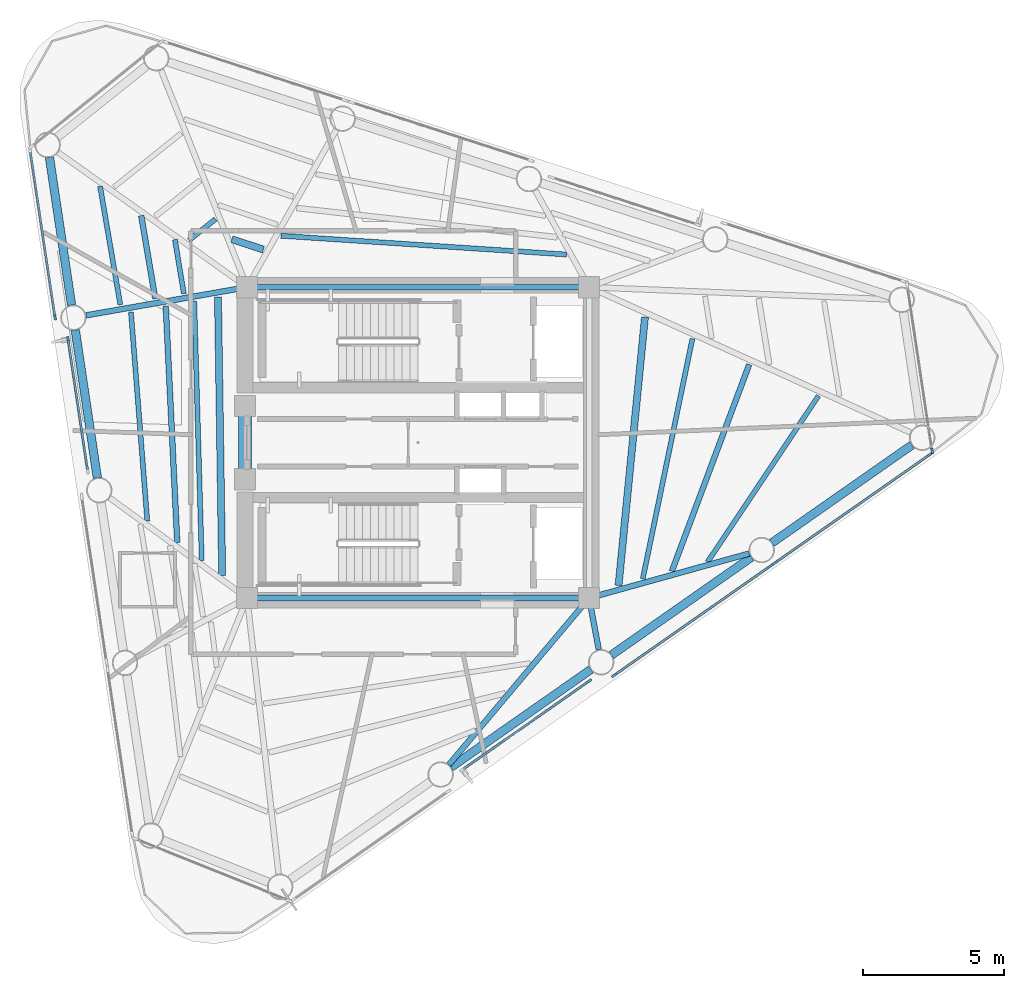
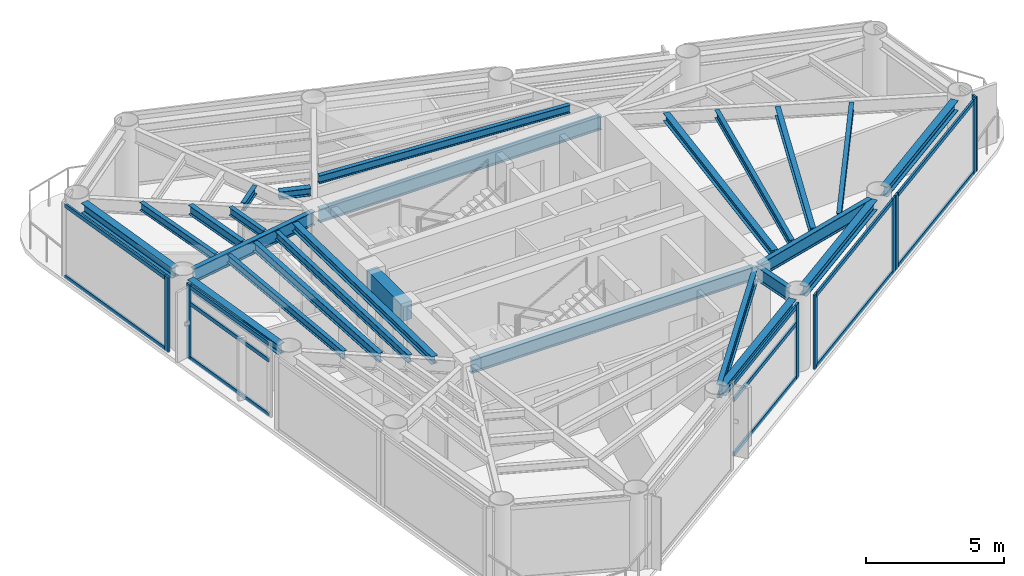
# One storey, part 2 of 9: 26 beams, 20 members, 6 elements without a shape of their own.
"""IFC4 building model written with IfcOpenShell, lengths in metres."""

from ifc_helpers import new_model, si_unit, direction, frame, origin, origin_2d, place, context, subcontext, project, spatial, rectangle, i_section, extrude, source, transform, mapped, material, layer, layer_set, material_profile, profile_set, type_object, element, aggregate, save


model = new_model("IFC4")

# Units and contexts
model_context = context("Model", 3, precision=1e-05, world=origin(), true_north=direction((0.0, 1.0)))
body_context = subcontext(model_context, "Body", "Model", "MODEL_VIEW")
ifc_project = project(units=[si_unit("LENGTHUNIT", "METRE"), si_unit("AREAUNIT", "SQUARE_METRE"), si_unit("VOLUMEUNIT", "CUBIC_METRE"), si_unit("PLANEANGLEUNIT", "RADIAN"), si_unit("MASSUNIT", "GRAM", prefix="KILO")], contexts=[model_context])

# Site, building, storey
site_placement = place(None, origin())
site = spatial("IfcSite", under=ifc_project, at=site_placement, CompositionType="ELEMENT")
building_placement = place(site_placement, origin())
building = spatial("IfcBuilding", under=site, at=building_placement, Name="Yunling Apex Tower", CompositionType="ELEMENT")
storey_placement = place(building_placement, frame((0.0, 0.0, 257.550048828125)))
storey = spatial("IfcBuildingStorey", under=building, at=storey_placement, Name="L62", CompositionType="ELEMENT", Elevation=257.550048828125)

# Beams
ifc_material_1 = material(Name="Concrete C40", Category="concrete")
ifc_material_profile_1 = material_profile(ifc_material_1, rectangle(XDim=0.449951171875, YDim=0.800048828125, at=origin_2d()))
ifc_profile_set_1 = profile_set([ifc_material_profile_1], Name="Concrete C40")
beam_type_1 = type_object("IfcBeamType", Name="BC-CPL-3", PredefinedType="BEAM", material=ifc_profile_set_1)
shared_shape_1 = source(origin(), body_context, "Body", "SweptSolid", [
    extrude(rectangle(XDim=0.449951171875, YDim=0.800048828125, at=origin_2d()), origin(), (0.0, 0.0, 1.0), 2.5),
])
beam_1_placement = place(storey_placement, frame((-6.125, -1.25, 2.820068359375), z_axis=(0.0, 1.0, 0.0), x_axis=(-1.0, 0.0, 0.0)))
element("IfcBeam", 1, at=beam_1_placement, inside=storey, type_object=beam_type_1, Name="L62 Core West Portal Coupling Beam", PredefinedType="BEAM", context=body_context, shape_type="MappedRepresentation", body=[
    mapped(shared_shape_1, transform((0.0, 0.0, 0.0), scale=1.0)),
])
ifc_material_2 = material(Name="Steel Q355B", Category="steel")
ifc_material_profile_2 = material_profile(ifc_material_2, i_section(OverallWidth=0.199951171875, OverallDepth=0.60009765625, WebThickness=0.010986328125, FlangeThickness=0.01708984375, FilletRadius=0.02197265625, at=origin_2d()))
ifc_profile_set_2 = profile_set([ifc_material_profile_2], Name="Steel Q355B")
beam_type_2 = type_object("IfcBeamType", Name="BG-PRI-5", PredefinedType="USERDEFINED", material=ifc_profile_set_2)
shared_shape_2 = source(origin(), body_context, "Body", "SweptSolid", [
    extrude(i_section(OverallWidth=0.199951171875, OverallDepth=0.60009765625, WebThickness=0.010986328125, FlangeThickness=0.01708984375, FilletRadius=0.02197265625, at=origin_2d()), origin(), (0.0, 0.0, 1.0), 11.7998046875),
])
for number, where, z_axis, x_axis, name in (
    (2, (-5.89990234375, -5.5, 2.919921875), (1.0, 0.0, 0.0), (0.0, 1.0, 0.0), "L62 Core Ring Tie Beam 1"),
    (3, (5.89990234375, 5.5, 2.919921875), (-1.0, 0.0, 0.0), (0.0, -1.0, 0.0), "L62 Core Ring Tie Beam 3"),
):
    element("IfcBeam", number, at=place(storey_placement, frame(where, z_axis=z_axis, x_axis=x_axis)), inside=storey, type_object=beam_type_2, Name=name, ObjectType="GIRDER", PredefinedType="USERDEFINED", context=body_context, shape_type="MappedRepresentation", body=[
        mapped(shared_shape_2, transform((0.0, 0.0, 0.0), scale=1.0)),
    ])
ifc_material_profile_3 = material_profile(ifc_material_2, i_section(OverallWidth=0.300048828125, OverallDepth=0.43994140625, WebThickness=0.010986328125, FlangeThickness=0.01806640625, FilletRadius=0.02197265625, at=origin_2d()))
ifc_profile_set_3 = profile_set([ifc_material_profile_3], Name="Steel Q355B")
beam_type_3 = type_object("IfcBeamType", Name="BP-SPN-3", PredefinedType="SPANDREL", material=ifc_profile_set_3)
shared_shape_3 = source(origin(), body_context, "Body", "SweptSolid", [
    extrude(i_section(OverallWidth=0.300048828125, OverallDepth=0.43994140625, WebThickness=0.010986328125, FlangeThickness=0.01806640625, FilletRadius=0.02197265625, at=origin_2d()), origin(), (0.0, 0.0, 1.0), 6.043701171875),
])
for number, where, z_axis, x_axis, name in (
    (4, (1.160888671875, -11.490478515625, 3.0), (0.819546828705, 0.5730122124, 0.0), (-0.5730122124, 0.819546828705, 0.0), "L62 Perimeter Spandrel Beam 2"),
    (5, (6.841796875, -7.5185546875, 3.0), (0.819546828705, 0.5730122124, 0.0), (-0.5730122124, 0.819546828705, 0.0), "L62 Perimeter Spandrel Beam 3"),
    (6, (12.522705078125, -3.546630859375, 3.0), (0.819546828705, 0.5730122124, 0.0), (-0.5730122124, 0.819546828705, 0.0), "L62 Perimeter Spandrel Beam 4"),
):
    element("IfcBeam", number, at=place(storey_placement, frame(where, z_axis=z_axis, x_axis=x_axis)), inside=storey, type_object=beam_type_3, Name=name, PredefinedType="SPANDREL", context=body_context, shape_type="MappedRepresentation", body=[
        mapped(shared_shape_3, transform((0.0, 0.0, 0.0), scale=1.0)),
    ])
shared_shape_4 = source(origin(), body_context, "Body", "SweptSolid", [
    extrude(i_section(OverallWidth=0.300048828125, OverallDepth=0.43994140625, WebThickness=0.010986328125, FlangeThickness=0.01806640625, FilletRadius=0.02197265625, at=origin_2d()), origin(), (0.0, 0.0, 1.0), 5.289306640625),
])
for number, where, z_axis, x_axis, name in (
    (7, (-13.044189453125, 10.09326171875, 3.0), (0.147841619944, -0.989011049186, 0.0), (0.989011049186, 0.147841619944, 0.0), "L62 Perimeter Spandrel Beam 11"),
    (8, (-12.131103515625, 3.98388671875, 3.0), (0.147796471114, -0.989017797174, 0.0), (0.989017797174, 0.147796471114, 0.0), "L62 Perimeter Spandrel Beam 12"),
):
    element("IfcBeam", number, at=place(storey_placement, frame(where, z_axis=z_axis, x_axis=x_axis)), inside=storey, type_object=beam_type_3, Name=name, PredefinedType="SPANDREL", context=body_context, shape_type="MappedRepresentation", body=[
        mapped(shared_shape_4, transform((0.0, 0.0, 0.0), scale=1.0)),
    ])
shared_shape_5 = source(origin(), body_context, "Body", "SweptSolid", [
    extrude(i_section(OverallWidth=0.199951171875, OverallDepth=0.60009765625, WebThickness=0.010986328125, FlangeThickness=0.01708984375, FilletRadius=0.02197265625, at=origin_2d()), origin(), (0.0, 0.0, 1.0), 7.622314453125),
])
beam_2_placement = place(storey_placement, frame((1.091796875, -11.394287109375, 2.919921875), z_axis=(0.64373126237, 0.765251633025, 0.0), x_axis=(-0.765251633025, 0.64373126237, 0.0)))
element("IfcBeam", 9, at=beam_2_placement, inside=storey, type_object=beam_type_2, Name="L62 Radial Primary Girder R02", ObjectType="GIRDER", PredefinedType="USERDEFINED", context=body_context, shape_type="MappedRepresentation", body=[
    mapped(shared_shape_5, transform((0.0, 0.0, 0.0), scale=1.0)),
])
shared_shape_6 = source(origin(), body_context, "Body", "SweptSolid", [
    extrude(i_section(OverallWidth=0.199951171875, OverallDepth=0.60009765625, WebThickness=0.010986328125, FlangeThickness=0.01708984375, FilletRadius=0.02197265625, at=origin_2d()), origin(), (0.0, 0.0, 1.0), 1.775146484375),
])
beam_3_placement = place(storey_placement, frame((6.393310546875, -7.322998046875, 2.919921875), z_axis=(-0.185127194989, 0.982714567754, 0.0), x_axis=(-0.982714567754, -0.185127194989, 0.0)))
element("IfcBeam", 10, at=beam_3_placement, inside=storey, type_object=beam_type_2, Name="L62 Radial Primary Girder R03", ObjectType="GIRDER", PredefinedType="USERDEFINED", context=body_context, shape_type="MappedRepresentation", body=[
    mapped(shared_shape_6, transform((0.0, 0.0, 0.0), scale=1.0)),
])
shared_shape_7 = source(origin(), body_context, "Body", "SweptSolid", [
    extrude(i_section(OverallWidth=0.199951171875, OverallDepth=0.60009765625, WebThickness=0.010986328125, FlangeThickness=0.01708984375, FilletRadius=0.02197265625, at=origin_2d()), origin(), (0.0, 0.0, 1.0), 5.802490234375),
])
beam_4_placement = place(storey_placement, frame((11.717529296875, -3.923828125, 2.919921875), z_axis=(-0.963437091081, -0.267934640405, 0.0), x_axis=(0.267934640405, -0.963437091081, 0.0)))
element("IfcBeam", 11, at=beam_4_placement, inside=storey, type_object=beam_type_2, Name="L62 Radial Primary Girder R04", ObjectType="GIRDER", PredefinedType="USERDEFINED", context=body_context, shape_type="MappedRepresentation", body=[
    mapped(shared_shape_7, transform((0.0, 0.0, 0.0), scale=1.0)),
])
shared_shape_8 = source(origin(), body_context, "Body", "SweptSolid", [
    extrude(i_section(OverallWidth=0.199951171875, OverallDepth=0.60009765625, WebThickness=0.010986328125, FlangeThickness=0.01708984375, FilletRadius=0.02197265625, at=origin_2d()), origin(), (0.0, 0.0, 1.0), 5.7021484375),
])
beam_5_placement = place(storey_placement, frame((-11.74560546875, 4.501953125, 2.919921875), z_axis=(0.984994459553, 0.172585963073, 0.0), x_axis=(-0.172585963073, 0.984994459553, 0.0)))
element("IfcBeam", 12, at=beam_5_placement, inside=storey, type_object=beam_type_2, Name="L62 Radial Primary Girder R12", ObjectType="GIRDER", PredefinedType="USERDEFINED", context=body_context, shape_type="MappedRepresentation", body=[
    mapped(shared_shape_8, transform((0.0, 0.0, 0.0), scale=1.0)),
])
ifc_material_profile_4 = material_profile(ifc_material_2, i_section(OverallWidth=0.199951171875, OverallDepth=0.39990234375, WebThickness=0.008056640625, FlangeThickness=0.012939453125, FilletRadius=0.01611328125, at=origin_2d()))
ifc_profile_set_4 = profile_set([ifc_material_profile_4], Name="Steel Q355B")
beam_type_4 = type_object("IfcBeamType", Name="BS-SEC-4", PredefinedType="BEAM", material=ifc_profile_set_4)
shared_shape_9 = source(origin(), body_context, "Body", "SweptSolid", [
    extrude(i_section(OverallWidth=0.199951171875, OverallDepth=0.39990234375, WebThickness=0.008056640625, FlangeThickness=0.012939453125, FilletRadius=0.01611328125, at=origin_2d()), origin(), (0.0, 0.0, 1.0), 7.810546875),
])
beam_6_placement = place(storey_placement, frame((8.978515625, -4.551513671875, 3.02001953125), z_axis=(0.350554744198, 0.936542242144, 0.0), x_axis=(-0.936542242144, 0.350554744198, 0.0)))
element("IfcBeam", 13, at=beam_6_placement, inside=storey, type_object=beam_type_4, Name="L62 Composite Floor Beam BS-4", PredefinedType="BEAM", context=body_context, shape_type="MappedRepresentation", body=[
    mapped(shared_shape_9, transform((0.0, 0.0, 0.0), scale=1.0)),
])
ifc_material_profile_5 = material_profile(ifc_material_2, i_section(OverallWidth=0.175048828125, OverallDepth=0.35009765625, WebThickness=0.007080078125, FlangeThickness=0.010986328125, FilletRadius=0.013916015625, at=origin_2d()))
ifc_profile_set_5 = profile_set([ifc_material_profile_5], Name="Steel Q355B")
beam_type_5 = type_object("IfcBeamType", Name="BJ-JST-1", PredefinedType="JOIST", material=ifc_profile_set_5)
shared_shape_10 = source(origin(), body_context, "Body", "SweptSolid", [
    extrude(i_section(OverallWidth=0.175048828125, OverallDepth=0.35009765625, WebThickness=0.007080078125, FlangeThickness=0.010986328125, FilletRadius=0.013916015625, at=origin_2d()), origin(), (0.0, 0.0, 1.0), 7.07373046875),
])
beam_7_placement = place(storey_placement, frame((10.240966796875, -4.22607421875, 3.044921875), z_axis=(0.555384960756, 0.831593377418, 0.0), x_axis=(-0.831593377418, 0.555384960756, 0.0)))
element("IfcBeam", 14, at=beam_7_placement, inside=storey, type_object=beam_type_5, Name="L62 Composite Floor Joist BJ1-4", PredefinedType="JOIST", context=body_context, shape_type="MappedRepresentation", body=[
    mapped(shared_shape_10, transform((0.0, 0.0, 0.0), scale=1.0)),
])
shared_shape_11 = source(origin(), body_context, "Body", "SweptSolid", [
    extrude(i_section(OverallWidth=0.175048828125, OverallDepth=0.35009765625, WebThickness=0.007080078125, FlangeThickness=0.010986328125, FilletRadius=0.013916015625, at=origin_2d()), origin(), (0.0, 0.0, 1.0), 8.68017578125),
])
beam_8_placement = place(storey_placement, frame((7.948486328125, -4.824462890625, 3.044921875), z_axis=(0.202510736311, 0.97928004252, 0.0), x_axis=(-0.97928004252, 0.202510736311, 0.0)))
element("IfcBeam", 15, at=beam_8_placement, inside=storey, type_object=beam_type_5, Name="L62 Composite Floor Joist BJ3-4", PredefinedType="JOIST", context=body_context, shape_type="MappedRepresentation", body=[
    mapped(shared_shape_11, transform((0.0, 0.0, 0.0), scale=1.0)),
])
ifc_material_profile_6 = material_profile(ifc_material_2, i_section(OverallWidth=0.25, OverallDepth=0.340087890625, WebThickness=0.009033203125, FlangeThickness=0.013916015625, FilletRadius=0.01806640625, at=origin_2d()))
ifc_profile_set_6 = profile_set([ifc_material_profile_6], Name="Steel Q355B")
beam_type_6 = type_object("IfcBeamType", Name="BJ-JST-2", PredefinedType="JOIST", material=ifc_profile_set_6)
shared_shape_12 = source(origin(), body_context, "Body", "SweptSolid", [
    extrude(i_section(OverallWidth=0.25, OverallDepth=0.340087890625, WebThickness=0.009033203125, FlangeThickness=0.013916015625, FilletRadius=0.01806640625, at=origin_2d()), origin(), (0.0, 0.0, 1.0), 9.54052734375),
])
beam_9_placement = place(storey_placement, frame((7.093017578125, -5.05517578125, 3.050048828125), z_axis=(0.098008759691, 0.995185552057, 0.0), x_axis=(-0.995185552057, 0.098008759691, 0.0)))
element("IfcBeam", 16, at=beam_9_placement, inside=storey, type_object=beam_type_6, Name="L62 Composite Floor Joist BJ2-4", PredefinedType="JOIST", context=body_context, shape_type="MappedRepresentation", body=[
    mapped(shared_shape_12, transform((0.0, 0.0, 0.0), scale=1.0)),
])
shared_shape_13 = source(origin(), body_context, "Body", "SweptSolid", [
    extrude(i_section(OverallWidth=0.175048828125, OverallDepth=0.35009765625, WebThickness=0.007080078125, FlangeThickness=0.010986328125, FilletRadius=0.013916015625, at=origin_2d()), origin(), (0.0, 0.0, 1.0), 10.130615234375),
])
beam_10_placement = place(storey_placement, frame((5.254150390625, 6.654541015625, 3.044921875), z_axis=(-0.997852458327, 0.065501690135, 0.0), x_axis=(-0.065501690135, -0.997852458327, 0.0)))
element("IfcBeam", 17, at=beam_10_placement, inside=storey, type_object=beam_type_5, Name="L62 Composite Floor Joist BJ3-8", PredefinedType="JOIST", context=body_context, shape_type="MappedRepresentation", body=[
    mapped(shared_shape_13, transform((0.0, 0.0, 0.0), scale=1.0)),
])
shared_shape_14 = source(origin(), body_context, "Body", "SweptSolid", [
    extrude(i_section(OverallWidth=0.25, OverallDepth=0.340087890625, WebThickness=0.009033203125, FlangeThickness=0.013916015625, FilletRadius=0.01806640625, at=origin_2d()), origin(), (0.0, 0.0, 1.0), 1.1728515625),
])
beam_11_placement = place(storey_placement, frame((-5.4775390625, 6.8291015625, 3.050048828125), z_axis=(-0.949595193506, 0.31347881662, 0.0), x_axis=(-0.31347881662, -0.949595193506, 0.0)))
element("IfcBeam", 18, at=beam_11_placement, inside=storey, type_object=beam_type_6, Name="L62 Composite Floor Joist BJ2-9", PredefinedType="JOIST", context=body_context, shape_type="MappedRepresentation", body=[
    mapped(shared_shape_14, transform((0.0, 0.0, 0.0), scale=1.0)),
])
shared_shape_15 = source(origin(), body_context, "Body", "SweptSolid", [
    extrude(i_section(OverallWidth=0.175048828125, OverallDepth=0.35009765625, WebThickness=0.007080078125, FlangeThickness=0.010986328125, FilletRadius=0.013916015625, at=origin_2d()), origin(), (0.0, 0.0, 1.0), 1.2021484375),
])
beam_12_placement = place(storey_placement, frame((-7.169921875, 7.9072265625, 3.044921875), z_axis=(-0.781225299788, -0.624249173785, 0.0), x_axis=(0.624249173785, -0.781225299788, 0.0)))
element("IfcBeam", 19, at=beam_12_placement, inside=storey, type_object=beam_type_5, Name="L62 Composite Floor Joist BJ3-10", PredefinedType="JOIST", context=body_context, shape_type="MappedRepresentation", body=[
    mapped(shared_shape_15, transform((0.0, 0.0, 0.0), scale=1.0)),
])
shared_shape_16 = source(origin(), body_context, "Body", "SweptSolid", [
    extrude(i_section(OverallWidth=0.199951171875, OverallDepth=0.39990234375, WebThickness=0.008056640625, FlangeThickness=0.012939453125, FilletRadius=0.01611328125, at=origin_2d()), origin(), (0.0, 0.0, 1.0), 2.980712890625),
])
beam_13_placement = place(storey_placement, frame((-9.796630859375, 8.031982421875, 3.02001953125), z_axis=(0.166351127682, -0.986066581078, 0.0), x_axis=(0.986066581078, 0.166351127682, 0.0)))
element("IfcBeam", 20, at=beam_13_placement, inside=storey, type_object=beam_type_4, Name="L62 Composite Floor Beam BS-11", PredefinedType="BEAM", context=body_context, shape_type="MappedRepresentation", body=[
    mapped(shared_shape_16, transform((0.0, 0.0, 0.0), scale=1.0)),
])
shared_shape_17 = source(origin(), body_context, "Body", "SweptSolid", [
    extrude(i_section(OverallWidth=0.175048828125, OverallDepth=0.35009765625, WebThickness=0.007080078125, FlangeThickness=0.010986328125, FilletRadius=0.013916015625, at=origin_2d()), origin(), (0.0, 0.0, 1.0), 4.2548828125),
])
beam_14_placement = place(storey_placement, frame((-11.253173828125, 9.0703125, 3.044921875), z_axis=(0.168352217176, -0.985726904864, 0.0), x_axis=(0.985726904864, 0.168352217176, 0.0)))
element("IfcBeam", 21, at=beam_14_placement, inside=storey, type_object=beam_type_5, Name="L62 Composite Floor Joist BJ1-11", PredefinedType="JOIST", context=body_context, shape_type="MappedRepresentation", body=[
    mapped(shared_shape_17, transform((0.0, 0.0, 0.0), scale=1.0)),
])
shared_shape_18 = source(origin(), body_context, "Body", "SweptSolid", [
    extrude(i_section(OverallWidth=0.175048828125, OverallDepth=0.35009765625, WebThickness=0.007080078125, FlangeThickness=0.010986328125, FilletRadius=0.013916015625, at=origin_2d()), origin(), (0.0, 0.0, 1.0), 1.93798828125),
])
beam_15_placement = place(storey_placement, frame((-8.605224609375, 7.18212890625, 3.044921875), z_axis=(0.163009711077, -0.986624464573, 0.0), x_axis=(0.986624464573, 0.163009711077, 0.0)))
element("IfcBeam", 22, at=beam_15_placement, inside=storey, type_object=beam_type_5, Name="L62 Composite Floor Joist BJ3-11", PredefinedType="JOIST", context=body_context, shape_type="MappedRepresentation", body=[
    mapped(shared_shape_18, transform((0.0, 0.0, 0.0), scale=1.0)),
])
shared_shape_19 = source(origin(), body_context, "Body", "SweptSolid", [
    extrude(i_section(OverallWidth=0.199951171875, OverallDepth=0.39990234375, WebThickness=0.008056640625, FlangeThickness=0.012939453125, FilletRadius=0.01611328125, at=origin_2d()), origin(), (0.0, 0.0, 1.0), 8.388916015625),
])
beam_16_placement = place(storey_placement, frame((-8.929443359375, 4.834228515625, 3.02001953125), z_axis=(0.048573134041, -0.998819628687, 0.0), x_axis=(0.998819628687, 0.048573134041, 0.0)))
element("IfcBeam", 23, at=beam_16_placement, inside=storey, type_object=beam_type_4, Name="L62 Composite Floor Beam BS-12", PredefinedType="BEAM", context=body_context, shape_type="MappedRepresentation", body=[
    mapped(shared_shape_19, transform((0.0, 0.0, 0.0), scale=1.0)),
])
shared_shape_20 = source(origin(), body_context, "Body", "SweptSolid", [
    extrude(i_section(OverallWidth=0.175048828125, OverallDepth=0.35009765625, WebThickness=0.007080078125, FlangeThickness=0.010986328125, FilletRadius=0.013916015625, at=origin_2d()), origin(), (0.0, 0.0, 1.0), 7.416259765625),
])
beam_17_placement = place(storey_placement, frame((-10.160400390625, 4.6181640625, 3.044921875), z_axis=(0.077952594819, -0.996957066759, 0.0), x_axis=(0.996957066759, 0.077952594819, 0.0)))
element("IfcBeam", 24, at=beam_17_placement, inside=storey, type_object=beam_type_5, Name="L62 Composite Floor Joist BJ1-12", PredefinedType="JOIST", context=body_context, shape_type="MappedRepresentation", body=[
    mapped(shared_shape_20, transform((0.0, 0.0, 0.0), scale=1.0)),
])
shared_shape_21 = source(origin(), body_context, "Body", "SweptSolid", [
    extrude(i_section(OverallWidth=0.175048828125, OverallDepth=0.35009765625, WebThickness=0.007080078125, FlangeThickness=0.010986328125, FilletRadius=0.013916015625, at=origin_2d()), origin(), (0.0, 0.0, 1.0), 9.189208984375),
])
beam_18_placement = place(storey_placement, frame((-7.92138671875, 5.01123046875, 3.044921875), z_axis=(0.028986034605, -0.999579816622, 0.0), x_axis=(0.999579816622, 0.028986034605, 0.0)))
element("IfcBeam", 25, at=beam_18_placement, inside=storey, type_object=beam_type_5, Name="L62 Composite Floor Joist BJ3-12", PredefinedType="JOIST", context=body_context, shape_type="MappedRepresentation", body=[
    mapped(shared_shape_21, transform((0.0, 0.0, 0.0), scale=1.0)),
])
shared_shape_22 = source(origin(), body_context, "Body", "SweptSolid", [
    extrude(i_section(OverallWidth=0.25, OverallDepth=0.340087890625, WebThickness=0.009033203125, FlangeThickness=0.013916015625, FilletRadius=0.01806640625, at=origin_2d()), origin(), (0.0, 0.0, 1.0), 9.858642578125),
])
beam_19_placement = place(storey_placement, frame((-7.081298828125, 5.158935546875, 3.050048828125), z_axis=(0.015056743551, -0.999886640812, 0.0), x_axis=(0.999886640812, 0.015056743551, 0.0)))
element("IfcBeam", 26, at=beam_19_placement, inside=storey, type_object=beam_type_6, Name="L62 Composite Floor Joist BJ2-12", PredefinedType="JOIST", context=body_context, shape_type="MappedRepresentation", body=[
    mapped(shared_shape_22, transform((0.0, 0.0, 0.0), scale=1.0)),
])

# Curtain wall, member
ifc_material_3 = material(Name="Bronze anodised aluminium", Category="aluminium")
ifc_layer = layer(ifc_material_3, 0.219970703125)
ifc_layer_set = layer_set([ifc_layer], Name="Bronze anodised aluminium")
curtain_wall_type = type_object("IfcCurtainWallType", Name="CW-SYS-4", PredefinedType="NOTDEFINED", material=ifc_layer_set)
curtain_wall_1_placement = place(storey_placement, origin())
curtain_wall_1 = element("IfcCurtainWall", 27, at=curtain_wall_1_placement, inside=storey, type_object=curtain_wall_type, Name="CW-L62-F1-B2", PredefinedType="NOTDEFINED")
ifc_material_profile_7 = material_profile(ifc_material_3, rectangle(XDim=0.080078125, YDim=0.219970703125, at=origin_2d()))
ifc_profile_set_7 = profile_set([ifc_material_profile_7], Name="Bronze anodised aluminium")
member_type_1 = type_object("IfcMemberType", Name="CW-MUL-4", PredefinedType="MULLION", material=ifc_profile_set_7)
shared_shape_23 = source(origin(), body_context, "Body", "SweptSolid", [
    extrude(rectangle(XDim=0.080078125, YDim=0.219970703125, at=origin_2d()), origin(), (0.0, 0.0, 1.0), 3.320068359375),
])
member_1_placement = place(storey_placement, frame((6.04345703125, -8.44287109375, -0.050048828125), z_axis=(0.0, 0.0, 1.0), x_axis=(-0.57299879219, 0.819556211708, 0.0)))
member_1 = element("IfcMember", 28, at=member_1_placement, type_object=member_type_1, Name="CW-SYS-4 mullion 2", PredefinedType="MULLION", context=body_context, shape_type="MappedRepresentation", body=[
    mapped(shared_shape_23, transform((0.0, 0.0, 0.0), scale=1.0)),
])

# Curtain wall, members
curtain_wall_2_placement = place(storey_placement, origin())
curtain_wall_2 = element("IfcCurtainWall", 29, at=curtain_wall_2_placement, inside=storey, type_object=curtain_wall_type, Name="CW-L62-F1-B3", PredefinedType="NOTDEFINED")
member_2_placement = place(storey_placement, frame((6.94287109375, -8.228759765625, -0.050048828125), z_axis=(0.0, 0.0, 1.0), x_axis=(-0.573010322379, 0.81954815017, 0.0)))
member_2 = element("IfcMember", 30, at=member_2_placement, type_object=member_type_1, Name="CW-SYS-4 mullion 1", PredefinedType="MULLION", context=body_context, shape_type="MappedRepresentation", body=[
    mapped(shared_shape_23, transform((0.0, 0.0, 0.0), scale=1.0)),
])
member_3_placement = place(storey_placement, frame((12.42724609375, -4.394287109375, -0.050048828125), z_axis=(0.0, 0.0, 1.0), x_axis=(-0.573010322379, 0.81954815017, 0.0)))
member_3 = element("IfcMember", 31, at=member_3_placement, type_object=member_type_1, Name="CW-SYS-4 mullion 2", PredefinedType="MULLION", context=body_context, shape_type="MappedRepresentation", body=[
    mapped(shared_shape_23, transform((0.0, 0.0, 0.0), scale=1.0)),
])

curtain_wall_3_placement = place(storey_placement, origin())
curtain_wall_3 = element("IfcCurtainWall", 32, at=curtain_wall_3_placement, inside=storey, type_object=curtain_wall_type, Name="CW-L62-F1-B4", PredefinedType="NOTDEFINED")
member_4_placement = place(storey_placement, frame((12.623779296875, -4.2568359375, -0.050048828125), z_axis=(0.0, 0.0, 1.0), x_axis=(-0.573000403744, 0.819555084976, 0.0)))
member_4 = element("IfcMember", 33, at=member_4_placement, type_object=member_type_1, Name="CW-SYS-4 mullion 1", PredefinedType="MULLION", context=body_context, shape_type="MappedRepresentation", body=[
    mapped(shared_shape_23, transform((0.0, 0.0, 0.0), scale=1.0)),
])
member_5_placement = place(storey_placement, frame((18.108154296875, -0.42236328125, -0.050048828125), z_axis=(0.0, 0.0, 1.0), x_axis=(-0.573000403744, 0.819555084976, 0.0)))
member_5 = element("IfcMember", 34, at=member_5_placement, type_object=member_type_1, Name="CW-SYS-4 mullion 2", PredefinedType="MULLION", context=body_context, shape_type="MappedRepresentation", body=[
    mapped(shared_shape_23, transform((0.0, 0.0, 0.0), scale=1.0)),
])

# Curtain wall, member
curtain_wall_4_placement = place(storey_placement, origin())
curtain_wall_4 = element("IfcCurtainWall", 35, at=curtain_wall_4_placement, inside=storey, type_object=curtain_wall_type, Name="CW-L62-CRN1", PredefinedType="NOTDEFINED")
member_6_placement = place(storey_placement, frame((18.189208984375, -0.2978515625, -0.050048828125), z_axis=(0.0, 0.0, 1.0), x_axis=(-0.989016885218, -0.147802573571, 0.0)))
member_6 = element("IfcMember", 36, at=member_6_placement, type_object=member_type_1, Name="CW-SYS-4 mullion 1", PredefinedType="MULLION", context=body_context, shape_type="MappedRepresentation", body=[
    mapped(shared_shape_23, transform((0.0, 0.0, 0.0), scale=1.0)),
])
aggregate(curtain_wall_4, [member_6])

curtain_wall_5_placement = place(storey_placement, origin())
curtain_wall_5 = element("IfcCurtainWall", 37, at=curtain_wall_5_placement, inside=storey, type_object=curtain_wall_type, Name="CW-L62-F3-B1", PredefinedType="NOTDEFINED")
member_7_placement = place(storey_placement, frame((-12.847412109375, 4.447265625, -0.050048828125), z_axis=(0.0, 0.0, 1.0), x_axis=(0.989016174309, 0.147807330522, 0.0)))
member_7 = element("IfcMember", 38, at=member_7_placement, type_object=member_type_1, Name="CW-SYS-4 mullion 2", PredefinedType="MULLION", context=body_context, shape_type="MappedRepresentation", body=[
    mapped(shared_shape_23, transform((0.0, 0.0, 0.0), scale=1.0)),
])

curtain_wall_6_placement = place(storey_placement, origin())
curtain_wall_6 = element("IfcCurtainWall", 39, at=curtain_wall_6_placement, inside=storey, type_object=curtain_wall_type, Name="CW-L62-F3-B2", PredefinedType="NOTDEFINED")
member_8_placement = place(storey_placement, frame((-12.384033203125, 3.646728515625, -0.050048828125), z_axis=(0.0, 0.0, 1.0), x_axis=(0.989016661745, 0.147804068926, 0.0)))
member_8 = element("IfcMember", 40, at=member_8_placement, type_object=member_type_1, Name="CW-SYS-4 mullion 1", PredefinedType="MULLION", context=body_context, shape_type="MappedRepresentation", body=[
    mapped(shared_shape_23, transform((0.0, 0.0, 0.0), scale=1.0)),
])

# Member
ifc_material_profile_8 = material_profile(ifc_material_3, rectangle(XDim=0.080078125, YDim=0.169921875, at=origin_2d()))
ifc_profile_set_8 = profile_set([ifc_material_profile_8], Name="Bronze anodised aluminium")
member_type_2 = type_object("IfcMemberType", Name="CW-TRN-4", PredefinedType="USERDEFINED", material=ifc_profile_set_8)
shared_shape_24 = source(origin(), body_context, "Body", "SweptSolid", [
    extrude(rectangle(XDim=0.080078125, YDim=0.169921875, at=origin_2d()), origin(), (0.0, 0.0, 1.0), 6.61962890625),
])
member_9_placement = place(storey_placement, frame((12.6533203125, -4.236083984375, 0.0400390625), z_axis=(0.819567916002, 0.572982051255, 0.0), x_axis=(-0.572982051255, 0.819567916002, 0.0)))
member_9 = element("IfcMember", 41, at=member_9_placement, type_object=member_type_2, Name="CW-SYS-4 transom 1.1", ObjectType="TRANSOM", PredefinedType="USERDEFINED", context=body_context, shape_type="MappedRepresentation", body=[
    mapped(shared_shape_24, transform((0.0, 0.0, 0.0), scale=1.0)),
])

member_10_placement = place(storey_placement, frame((12.6533203125, -4.236083984375, 3.179931640625), z_axis=(0.819567916002, 0.572982051255, 0.0), x_axis=(-0.572982051255, 0.819567916002, 0.0)))
member_10 = element("IfcMember", 42, at=member_10_placement, type_object=member_type_2, Name="CW-SYS-4 transom 1.2", ObjectType="TRANSOM", PredefinedType="USERDEFINED", context=body_context, shape_type="MappedRepresentation", body=[
    mapped(shared_shape_24, transform((0.0, 0.0, 0.0), scale=1.0)),
])

aggregate(curtain_wall_3, [member_4, member_5, member_9, member_10])

shared_shape_25 = source(origin(), body_context, "Body", "SweptSolid", [
    extrude(rectangle(XDim=0.080078125, YDim=0.169921875, at=origin_2d()), origin(), (0.0, 0.0, 1.0), 5.379638671875),
])
member_11_placement = place(storey_placement, frame((1.60498046875, -11.546142578125, 0.0400390625), z_axis=(0.819557991913, 0.572996245966, 0.0), x_axis=(-0.572996245966, 0.819557991913, 0.0)))
member_11 = element("IfcMember", 43, at=member_11_placement, type_object=member_type_2, Name="CW-SYS-4 transom 1.1", ObjectType="TRANSOM", PredefinedType="USERDEFINED", context=body_context, shape_type="MappedRepresentation", body=[
    mapped(shared_shape_25, transform((0.0, 0.0, 0.0), scale=1.0)),
])

member_12_placement = place(storey_placement, frame((1.60498046875, -11.546142578125, 2.447265625), z_axis=(0.819557991913, 0.572996245966, 0.0), x_axis=(-0.572996245966, 0.819557991913, 0.0)))
member_12 = element("IfcMember", 44, at=member_12_placement, type_object=member_type_2, Name="CW-SYS-4 transom 1.2", ObjectType="TRANSOM", PredefinedType="USERDEFINED", context=body_context, shape_type="MappedRepresentation", body=[
    mapped(shared_shape_25, transform((0.0, 0.0, 0.0), scale=1.0)),
])

member_13_placement = place(storey_placement, frame((1.60498046875, -11.546142578125, 3.179931640625), z_axis=(0.819557991913, 0.572996245966, 0.0), x_axis=(-0.572996245966, 0.819557991913, 0.0)))
member_13 = element("IfcMember", 45, at=member_13_placement, type_object=member_type_2, Name="CW-SYS-4 transom 1.3", ObjectType="TRANSOM", PredefinedType="USERDEFINED", context=body_context, shape_type="MappedRepresentation", body=[
    mapped(shared_shape_25, transform((0.0, 0.0, 0.0), scale=1.0)),
])

aggregate(curtain_wall_1, [member_1, member_11, member_12, member_13])

shared_shape_26 = source(origin(), body_context, "Body", "SweptSolid", [
    extrude(rectangle(XDim=0.080078125, YDim=0.169921875, at=origin_2d()), origin(), (0.0, 0.0, 1.0), 6.619873046875),
])
member_14_placement = place(storey_placement, frame((6.972412109375, -8.208251953125, 0.0400390625), z_axis=(0.819550596795, 0.573006823077, 0.0), x_axis=(-0.573006823077, 0.819550596795, 0.0)))
member_14 = element("IfcMember", 46, at=member_14_placement, type_object=member_type_2, Name="CW-SYS-4 transom 1.1", ObjectType="TRANSOM", PredefinedType="USERDEFINED", context=body_context, shape_type="MappedRepresentation", body=[
    mapped(shared_shape_26, transform((0.0, 0.0, 0.0), scale=1.0)),
])

member_15_placement = place(storey_placement, frame((6.972412109375, -8.208251953125, 3.179931640625), z_axis=(0.819550596795, 0.573006823077, 0.0), x_axis=(-0.573006823077, 0.819550596795, 0.0)))
member_15 = element("IfcMember", 47, at=member_15_placement, type_object=member_type_2, Name="CW-SYS-4 transom 1.2", ObjectType="TRANSOM", PredefinedType="USERDEFINED", context=body_context, shape_type="MappedRepresentation", body=[
    mapped(shared_shape_26, transform((0.0, 0.0, 0.0), scale=1.0)),
])

aggregate(curtain_wall_2, [member_2, member_3, member_14, member_15])

shared_shape_27 = source(origin(), body_context, "Body", "SweptSolid", [
    extrude(rectangle(XDim=0.080078125, YDim=0.169921875, at=origin_2d()), origin(), (0.0, 0.0, 1.0), 5.865478515625),
])
member_16_placement = place(storey_placement, frame((-13.7197265625, 10.28369140625, 0.0400390625), z_axis=(0.147805126247, -0.989016503732, 0.0), x_axis=(0.989016503732, 0.147805126247, 0.0)))
member_16 = element("IfcMember", 48, at=member_16_placement, type_object=member_type_2, Name="CW-SYS-4 transom 1.1", ObjectType="TRANSOM", PredefinedType="USERDEFINED", context=body_context, shape_type="MappedRepresentation", body=[
    mapped(shared_shape_27, transform((0.0, 0.0, 0.0), scale=1.0)),
])

member_17_placement = place(storey_placement, frame((-13.7197265625, 10.28369140625, 3.179931640625), z_axis=(0.147805126247, -0.989016503732, 0.0), x_axis=(0.989016503732, 0.147805126247, 0.0)))
member_17 = element("IfcMember", 49, at=member_17_placement, type_object=member_type_2, Name="CW-SYS-4 transom 1.2", ObjectType="TRANSOM", PredefinedType="USERDEFINED", context=body_context, shape_type="MappedRepresentation", body=[
    mapped(shared_shape_27, transform((0.0, 0.0, 0.0), scale=1.0)),
])

aggregate(curtain_wall_5, [member_7, member_16, member_17])

shared_shape_28 = source(origin(), body_context, "Body", "SweptSolid", [
    extrude(rectangle(XDim=0.080078125, YDim=0.169921875, at=origin_2d()), origin(), (0.0, 0.0, 1.0), 4.625244140625),
])
member_18_placement = place(storey_placement, frame((-12.378662109375, 3.611328125, 0.0400390625), z_axis=(0.147795810874, -0.989017895838, 0.0), x_axis=(0.989017895838, 0.147795810874, 0.0)))
member_18 = element("IfcMember", 50, at=member_18_placement, type_object=member_type_2, Name="CW-SYS-4 transom 1.1", ObjectType="TRANSOM", PredefinedType="USERDEFINED", context=body_context, shape_type="MappedRepresentation", body=[
    mapped(shared_shape_28, transform((0.0, 0.0, 0.0), scale=1.0)),
])

member_19_placement = place(storey_placement, frame((-12.378662109375, 3.611328125, 2.447265625), z_axis=(0.147795810874, -0.989017895838, 0.0), x_axis=(0.989017895838, 0.147795810874, 0.0)))
member_19 = element("IfcMember", 51, at=member_19_placement, type_object=member_type_2, Name="CW-SYS-4 transom 1.2", ObjectType="TRANSOM", PredefinedType="USERDEFINED", context=body_context, shape_type="MappedRepresentation", body=[
    mapped(shared_shape_28, transform((0.0, 0.0, 0.0), scale=1.0)),
])

member_20_placement = place(storey_placement, frame((-12.378662109375, 3.611328125, 3.179931640625), z_axis=(0.147795810874, -0.989017895838, 0.0), x_axis=(0.989017895838, 0.147795810874, 0.0)))
member_20 = element("IfcMember", 52, at=member_20_placement, type_object=member_type_2, Name="CW-SYS-4 transom 1.3", ObjectType="TRANSOM", PredefinedType="USERDEFINED", context=body_context, shape_type="MappedRepresentation", body=[
    mapped(shared_shape_28, transform((0.0, 0.0, 0.0), scale=1.0)),
])

aggregate(curtain_wall_6, [member_8, member_18, member_19, member_20])

save(model, "model.ifc")
